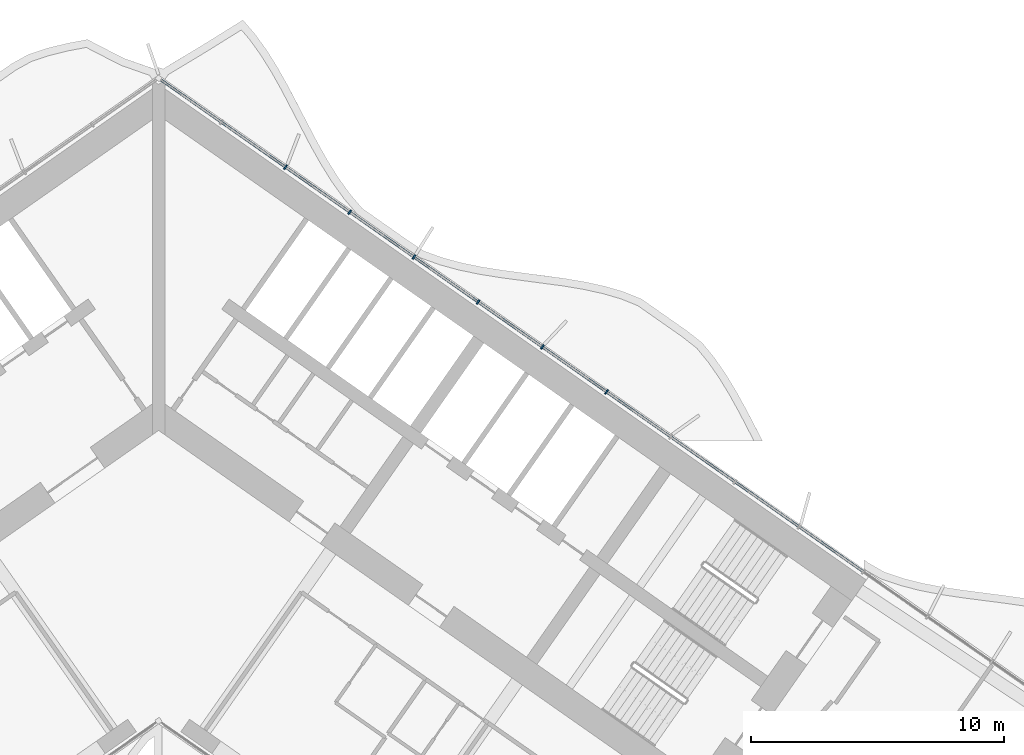
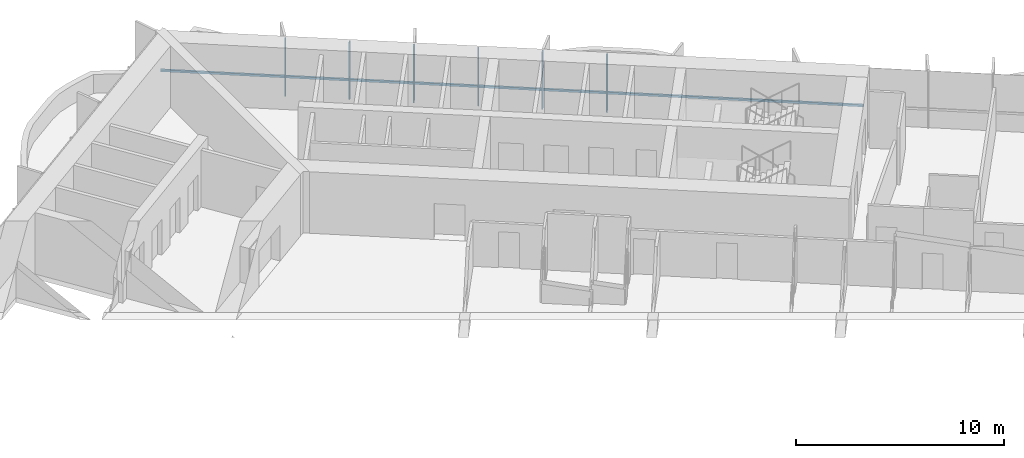
# One storey, part 8 of 23: 7 members, 1 element without a shape of its own.
"""IFC4 building model written with IfcOpenShell, lengths in metres."""

from ifc_helpers import new_model, si_unit, direction, frame, origin, origin_2d, place, context, subcontext, project, spatial, rectangle, extrude, material, material_profile, profile_set, type_object, element, aggregate, save


model = new_model("IFC4")

# Units and contexts
model_context = context("Model", 3, precision=1e-05, world=origin(), true_north=direction((0.0, 1.0)))
body_context = subcontext(model_context, "Body", "Model", "MODEL_VIEW")
ifc_project = project(units=[si_unit("LENGTHUNIT", "METRE"), si_unit("AREAUNIT", "SQUARE_METRE"), si_unit("VOLUMEUNIT", "CUBIC_METRE"), si_unit("PLANEANGLEUNIT", "RADIAN"), si_unit("MASSUNIT", "GRAM", prefix="KILO")], contexts=[model_context])

# Site, building, storey
site_placement = place(None, origin())
site = spatial("IfcSite", under=ifc_project, at=site_placement, CompositionType="ELEMENT")
building_placement = place(site_placement, origin())
building = spatial("IfcBuilding", under=site, at=building_placement, Name="Tel Ilan Convention Tower", CompositionType="ELEMENT")
storey_placement = place(building_placement, frame((0.0, 0.0, 94.10009765625)))
storey = spatial("IfcBuildingStorey", under=building, at=storey_placement, Name="L19", CompositionType="ELEMENT", Elevation=94.10009765625)

# Curtain wall, members
ifc_material_1 = material(Name="Aluminium, bronze anodised", Category="aluminium")
curtain_wall_type = type_object("IfcCurtainWallType", Name="CW2 STICK CURTAIN WALL, SPANDREL PANELS", PredefinedType="NOTDEFINED", material=ifc_material_1)
curtain_wall_placement = place(storey_placement, origin())
curtain_wall = element("IfcCurtainWall", 1, at=curtain_wall_placement, inside=storey, type_object=curtain_wall_type, Name="Curtain wall CW2-17.01", PredefinedType="NOTDEFINED")
ifc_material_2 = material(Name="Aluminium, bronze anodised", Category="aluminium")
ifc_material_profile_1 = material_profile(ifc_material_2, rectangle(XDim=0.06005859375, YDim=0.199951171875, at=origin_2d()), Name="CW MULLION 60x200")
ifc_profile_set_1 = profile_set([ifc_material_profile_1], Name="Aluminium, bronze anodised")
member_type_1 = type_object("IfcMemberType", Name="CW MULLION 60x200", PredefinedType="MULLION", material=ifc_profile_set_1)
member_1_placement = place(storey_placement, frame((17.701171875, 0.301513671875, 0.0), z_axis=(0.0, 0.0, 1.0), x_axis=(-0.819152044289, 0.573576436351, 0.0)))
member_1 = element("IfcMember", 2, at=member_1_placement, type_object=member_type_1, Name="Mullion", PredefinedType="MULLION", context=body_context, shape_type="SweptSolid", body=[
    extrude(rectangle(XDim=0.06005859375, YDim=0.199951171875, at=origin_2d()), origin(), (0.0, 0.0, 1.0), 3.31982421875),
])
member_2_placement = place(storey_placement, frame((15.1640625, 2.077880859375, 0.0), z_axis=(0.0, 0.0, 1.0), x_axis=(-0.819152044289, 0.573576436351, 0.0)))
member_2 = element("IfcMember", 3, at=member_2_placement, type_object=member_type_1, Name="Mullion", PredefinedType="MULLION", context=body_context, shape_type="SweptSolid", body=[
    extrude(rectangle(XDim=0.06005859375, YDim=0.199951171875, at=origin_2d()), origin(), (0.0, 0.0, 1.0), 3.31982421875),
])
member_3_placement = place(storey_placement, frame((12.627197265625, 3.854248046875, 0.0), z_axis=(0.0, 0.0, 1.0), x_axis=(-0.819152044289, 0.573576436351, 0.0)))
member_3 = element("IfcMember", 4, at=member_3_placement, type_object=member_type_1, Name="Mullion", PredefinedType="MULLION", context=body_context, shape_type="SweptSolid", body=[
    extrude(rectangle(XDim=0.06005859375, YDim=0.199951171875, at=origin_2d()), origin(), (0.0, 0.0, 1.0), 3.31982421875),
])
member_4_placement = place(storey_placement, frame((10.09033203125, 5.630615234375, 0.0), z_axis=(0.0, 0.0, 1.0), x_axis=(-0.819152044289, 0.573576436351, 0.0)))
member_4 = element("IfcMember", 5, at=member_4_placement, type_object=member_type_1, Name="Mullion", PredefinedType="MULLION", context=body_context, shape_type="SweptSolid", body=[
    extrude(rectangle(XDim=0.06005859375, YDim=0.199951171875, at=origin_2d()), origin(), (0.0, 0.0, 1.0), 3.31982421875),
])
member_5_placement = place(storey_placement, frame((7.553466796875, 7.406982421875, 0.0), z_axis=(0.0, 0.0, 1.0), x_axis=(-0.819152044289, 0.573576436351, 0.0)))
member_5 = element("IfcMember", 6, at=member_5_placement, type_object=member_type_1, Name="Mullion", PredefinedType="MULLION", context=body_context, shape_type="SweptSolid", body=[
    extrude(rectangle(XDim=0.06005859375, YDim=0.199951171875, at=origin_2d()), origin(), (0.0, 0.0, 1.0), 3.31982421875),
])
member_6_placement = place(storey_placement, frame((5.0166015625, 9.18359375, 0.0), z_axis=(0.0, 0.0, 1.0), x_axis=(-0.819152044289, 0.573576436351, 0.0)))
member_6 = element("IfcMember", 7, at=member_6_placement, type_object=member_type_1, Name="Mullion", PredefinedType="MULLION", context=body_context, shape_type="SweptSolid", body=[
    extrude(rectangle(XDim=0.06005859375, YDim=0.199951171875, at=origin_2d()), origin(), (0.0, 0.0, 1.0), 3.31982421875),
])
ifc_material_3 = material(Name="Aluminium, bronze anodised", Category="aluminium")
ifc_material_profile_2 = material_profile(ifc_material_3, rectangle(XDim=0.10009765625, YDim=0.1201171875, at=origin_2d()), Name="CW TRANSOM 100x120")
ifc_profile_set_2 = profile_set([ifc_material_profile_2], Name="Aluminium, bronze anodised")
member_type_2 = type_object("IfcMemberType", Name="CW TRANSOM 100x120", PredefinedType="USERDEFINED", material=ifc_profile_set_2)
member_7_placement = place(storey_placement, frame((27.82421875, -6.78662109375, 1.099853515625), z_axis=(-0.819151916241, 0.573576619222, 0.0), x_axis=(-0.573576619222, -0.819151916241, 0.0)))
member_7 = element("IfcMember", 8, at=member_7_placement, type_object=member_type_2, Name="Transom", ObjectType="TRANSOM", PredefinedType="USERDEFINED", context=body_context, shape_type="SweptSolid", body=[
    extrude(rectangle(XDim=0.10009765625, YDim=0.1201171875, at=origin_2d()), origin(), (0.0, 0.0, 1.0), 33.837158203125),
])
aggregate(curtain_wall, [member_1, member_2, member_3, member_4, member_5, member_6, member_7])

save(model, "model.ifc")
